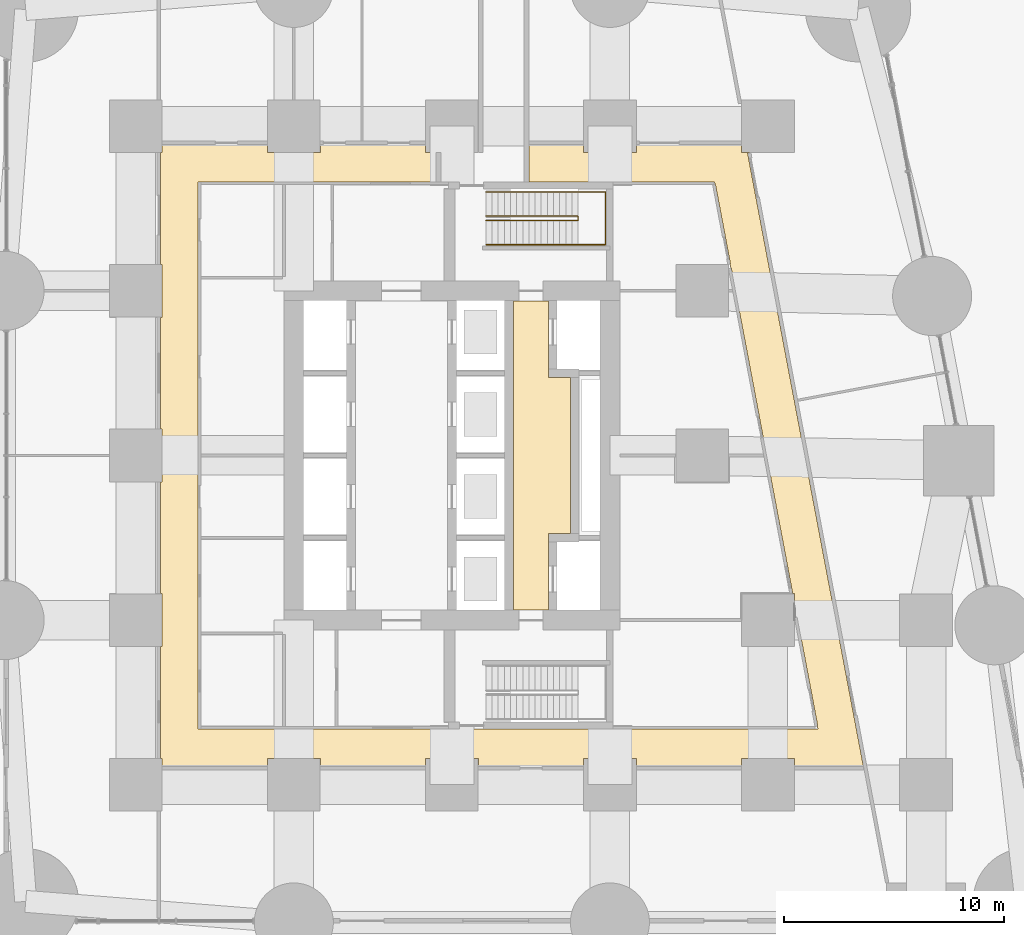
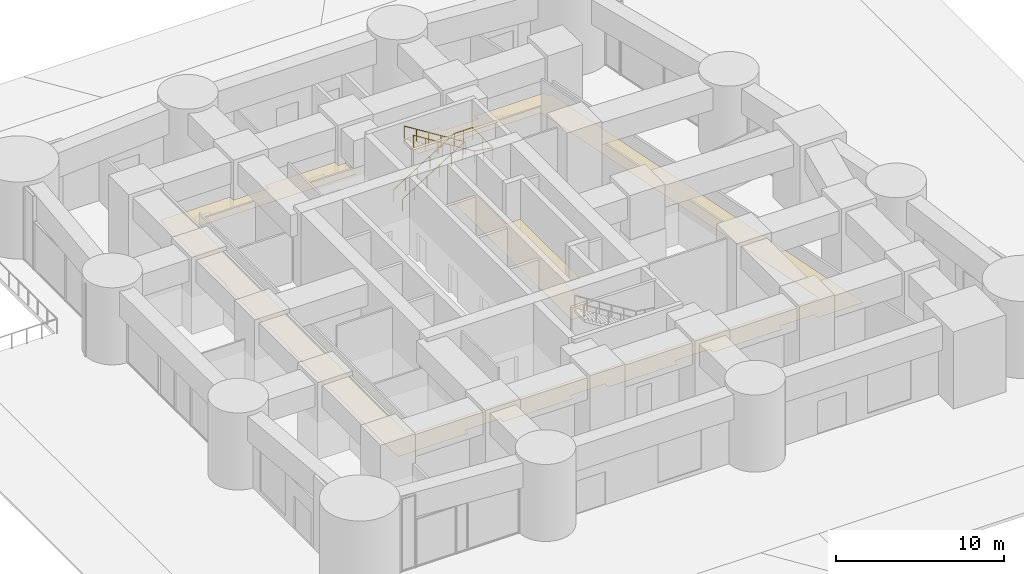
# One storey, part 15 of 16: 2 coverings, 2 railings.
"""IFC4 building model written with IfcOpenShell, lengths in metres."""

from ifc_helpers import new_model, si_unit, direction, frame, origin, origin_2d, place, context, subcontext, project, spatial, polyline, circle, outline, extrude, material, layer, layer_set, type_object, element, save


model = new_model("IFC4")

# Units and contexts
model_context = context("Model", 3, precision=1e-05, world=origin(), true_north=direction((0.0, 1.0)))
body_context = subcontext(model_context, "Body", "Model", "MODEL_VIEW")
ifc_project = project(units=[si_unit("LENGTHUNIT", "METRE"), si_unit("AREAUNIT", "SQUARE_METRE"), si_unit("VOLUMEUNIT", "CUBIC_METRE"), si_unit("PLANEANGLEUNIT", "RADIAN"), si_unit("MASSUNIT", "GRAM", prefix="KILO")], contexts=[model_context])

# Site, building, storey
site_placement = place(None, origin())
site = spatial("IfcSite", under=ifc_project, at=site_placement, CompositionType="ELEMENT")
building_placement = place(site_placement, origin())
building = spatial("IfcBuilding", under=site, at=building_placement, Name="Sheger Commons Tower", CompositionType="ELEMENT")
storey_placement = place(building_placement, origin())
storey = spatial("IfcBuildingStorey", under=building, at=storey_placement, Name="L00", CompositionType="ELEMENT", Elevation=0.0)

# Railings
ifc_material_1 = material(Name="Steel handrail, black powder-coated", Category="steel")
railing_type = type_object("IfcRailingType", Name="HANDRAIL 900", PredefinedType="HANDRAIL", material=ifc_material_1)
railing_1_placement = place(storey_placement, frame((23.14990234375, 33.39990234375, 0.175048828125)))
element("IfcRailing", 1, at=railing_1_placement, inside=storey, type_object=railing_type, Name="Stair S2 handrail L00", PredefinedType="HANDRAIL", context=body_context, shape_type="SweptSolid", body=[
    extrude(circle(Radius=0.02392578125, at=origin_2d()), frame((0.0, 0.0, 0.8759765625), z_axis=(0.848009380541, 0.0, 0.529981217134), x_axis=(0.0, 1.0, 0.0)), (0.0, 0.0, 1.0), 4.953125),
    extrude(circle(Radius=0.02392578125, at=origin_2d()), frame((4.2001953125, 0.0, 3.5009765625), z_axis=(0.0, -0.752405939678, 0.658699705433), x_axis=(1.0, 0.0, 0.0)), (0.0, 0.0, 1.0), 0.265869140625),
    extrude(circle(Radius=0.02392578125, at=origin_2d()), frame((4.2001953125, -0.199951171875, 3.67578125), z_axis=(-0.848009380541, 0.0, 0.529981217134), x_axis=(0.0, -1.0, 0.0)), (0.0, 0.0, 1.0), 4.953125),
    extrude(circle(Radius=0.02099609375, at=origin_2d()), origin(), (0.0, 0.0, 1.0), 0.851806640625),
    extrude(circle(Radius=0.02099609375, at=origin_2d()), frame((0.840087890625, 0.0, 0.52490234375)), (0.0, 0.0, 1.0), 0.851806640625),
    extrude(circle(Radius=0.02099609375, at=origin_2d()), frame((1.68017578125, 0.0, 1.050048828125)), (0.0, 0.0, 1.0), 0.851806640625),
    extrude(circle(Radius=0.02099609375, at=origin_2d()), frame((2.52001953125, 0.0, 1.574951171875)), (0.0, 0.0, 1.0), 0.851806640625),
    extrude(circle(Radius=0.02099609375, at=origin_2d()), frame((3.360107421875, 0.0, 2.10009765625)), (0.0, 0.0, 1.0), 0.851806640625),
    extrude(circle(Radius=0.02099609375, at=origin_2d()), frame((4.2001953125, 0.0, 2.625)), (0.0, 0.0, 1.0), 0.851806640625),
    extrude(circle(Radius=0.02099609375, at=origin_2d()), frame((4.2001953125, -0.199951171875, 2.800048828125)), (0.0, 0.0, 1.0), 0.851806640625),
    extrude(circle(Radius=0.02099609375, at=origin_2d()), frame((3.360107421875, -0.199951171875, 3.324951171875)), (0.0, 0.0, 1.0), 0.851806640625),
    extrude(circle(Radius=0.02099609375, at=origin_2d()), frame((2.52001953125, -0.199951171875, 3.85009765625)), (0.0, 0.0, 1.0), 0.851806640625),
    extrude(circle(Radius=0.02099609375, at=origin_2d()), frame((1.68017578125, -0.199951171875, 4.375)), (0.0, 0.0, 1.0), 0.851806640625),
    extrude(circle(Radius=0.02099609375, at=origin_2d()), frame((0.840087890625, -0.199951171875, 4.900146484375)), (0.0, 0.0, 1.0), 0.851806640625),
    extrude(circle(Radius=0.02099609375, at=origin_2d()), frame((0.0, -0.199951171875, 5.425048828125)), (0.0, 0.0, 1.0), 0.851806640625),
])
railing_2_placement = place(storey_placement, frame((23.14990234375, 34.5, 0.175048828125)))
element("IfcRailing", 2, at=railing_2_placement, inside=storey, type_object=railing_type, Name="Stair S2 handrail L00", PredefinedType="HANDRAIL", context=body_context, shape_type="SweptSolid", body=[
    extrude(circle(Radius=0.02392578125, at=origin_2d()), frame((0.0, 0.0, 0.8759765625), z_axis=(0.848009380541, 0.0, 0.529981217134), x_axis=(0.0, 1.0, 0.0)), (0.0, 0.0, 1.0), 4.953125),
    extrude(circle(Radius=0.02392578125, at=origin_2d()), frame((4.2001953125, 0.0, 3.5009765625), z_axis=(1.0, 0.0, 0.0), x_axis=(0.0, 1.0, 0.0)), (0.0, 0.0, 1.0), 1.25),
    extrude(circle(Radius=0.02392578125, at=origin_2d()), frame((5.4501953125, 0.0, 3.5009765625), z_axis=(0.0, -1.0, 0.0), x_axis=(1.0, 0.0, 0.0)), (0.0, 0.0, 1.0), 2.39990234375),
    extrude(circle(Radius=0.02392578125, at=origin_2d()), frame((5.4501953125, -2.39990234375, 3.5009765625), z_axis=(-0.990336434156, 0.0, 0.138685785799), x_axis=(0.0, -1.0, 0.0)), (0.0, 0.0, 1.0), 1.26220703125),
    extrude(circle(Radius=0.02392578125, at=origin_2d()), frame((4.2001953125, -2.39990234375, 3.67578125), z_axis=(-0.848009380541, 0.0, 0.529981217134), x_axis=(0.0, -1.0, 0.0)), (0.0, 0.0, 1.0), 4.953125),
    extrude(circle(Radius=0.02099609375, at=origin_2d()), origin(), (0.0, 0.0, 1.0), 0.851806640625),
    extrude(circle(Radius=0.02099609375, at=origin_2d()), frame((0.840087890625, 0.0, 0.52490234375)), (0.0, 0.0, 1.0), 0.851806640625),
    extrude(circle(Radius=0.02099609375, at=origin_2d()), frame((1.68017578125, 0.0, 1.050048828125)), (0.0, 0.0, 1.0), 0.851806640625),
    extrude(circle(Radius=0.02099609375, at=origin_2d()), frame((2.52001953125, 0.0, 1.574951171875)), (0.0, 0.0, 1.0), 0.851806640625),
    extrude(circle(Radius=0.02099609375, at=origin_2d()), frame((3.360107421875, 0.0, 2.10009765625)), (0.0, 0.0, 1.0), 0.851806640625),
    extrude(circle(Radius=0.02099609375, at=origin_2d()), frame((4.2001953125, 0.0, 2.625)), (0.0, 0.0, 1.0), 0.851806640625),
    extrude(circle(Radius=0.02099609375, at=origin_2d()), frame((4.8251953125, 0.0, 2.625)), (0.0, 0.0, 1.0), 0.851806640625),
    extrude(circle(Radius=0.02099609375, at=origin_2d()), frame((5.4501953125, 0.0, 2.625)), (0.0, 0.0, 1.0), 0.851806640625),
    extrude(circle(Radius=0.02099609375, at=origin_2d()), frame((5.4501953125, -1.199951171875, 2.625)), (0.0, 0.0, 1.0), 0.851806640625),
    extrude(circle(Radius=0.02099609375, at=origin_2d()), frame((5.4501953125, -2.39990234375, 2.625)), (0.0, 0.0, 1.0), 0.851806640625),
    extrude(circle(Radius=0.02099609375, at=origin_2d()), frame((4.8251953125, -2.39990234375, 2.71240234375)), (0.0, 0.0, 1.0), 0.851806640625),
    extrude(circle(Radius=0.02099609375, at=origin_2d()), frame((4.2001953125, -2.39990234375, 2.800048828125)), (0.0, 0.0, 1.0), 0.851806640625),
    extrude(circle(Radius=0.02099609375, at=origin_2d()), frame((3.360107421875, -2.39990234375, 3.324951171875)), (0.0, 0.0, 1.0), 0.851806640625),
    extrude(circle(Radius=0.02099609375, at=origin_2d()), frame((2.52001953125, -2.39990234375, 3.85009765625)), (0.0, 0.0, 1.0), 0.851806640625),
    extrude(circle(Radius=0.02099609375, at=origin_2d()), frame((1.68017578125, -2.39990234375, 4.375)), (0.0, 0.0, 1.0), 0.851806640625),
    extrude(circle(Radius=0.02099609375, at=origin_2d()), frame((0.840087890625, -2.39990234375, 4.900146484375)), (0.0, 0.0, 1.0), 0.851806640625),
    extrude(circle(Radius=0.02099609375, at=origin_2d()), frame((0.0, -2.39990234375, 5.425048828125)), (0.0, 0.0, 1.0), 0.851806640625),
])

# Coverings
ifc_material_2 = material(Name="Gypsum plasterboard 15 mm on a suspended steel grid", Category="steel")
ifc_layer = layer(ifc_material_2, 0.014892578125)
ifc_layer_set = layer_set([ifc_layer], Name="SUSPENDED CEILING 15")
covering_type = type_object("IfcCoveringType", Name="SUSPENDED CEILING 15", PredefinedType="CEILING", material=ifc_layer_set)
covering_1_placement = place(storey_placement, frame((0.0, 0.0, 2.699951171875)))
element("IfcCovering", 3, at=covering_1_placement, inside=storey, type_object=covering_type, Name="L00-CO ceiling", PredefinedType="CEILING", context=body_context, shape_type="SweptSolid", body=[
    extrude(outline(polyline([(8.405029296875, 8.330078125), (13.195068359375, 8.330078125), (13.195068359375, 8.705078125), (15.60498046875, 8.705078125), (15.60498046875, 8.330078125), (20.39501953125, 8.330078125), (20.39501953125, 8.705078125), (22.804931640625, 8.705078125), (22.804931640625, 8.330078125), (27.594970703125, 8.330078125), (27.594970703125, 8.705078125), (30.0048828125, 8.705078125), (30.0048828125, 8.330078125), (34.794921875, 8.330078125), (34.794921875, 8.705078125), (37.205078125, 8.705078125), (37.205078125, 8.330078125), (40.34912109375, 8.330078125), (35.071044921875, 36.27490234375), (35.14892578125, 36.2900390625), (35.14794921875, 36.294921875), (34.794921875, 36.294921875), (34.794921875, 36.669921875), (30.0048828125, 36.669921875), (30.0048828125, 36.294921875), (27.594970703125, 36.294921875), (27.594970703125, 36.669921875), (25.116943359375, 36.669921875), (25.116943359375, 34.949951171875), (28.945068359375, 34.949951171875), (28.945068359375, 34.968017578125), (33.54296875, 34.968017578125), (33.54296875, 34.949951171875), (33.571044921875, 34.949951171875), (33.589111328125, 34.85205078125), (33.60595703125, 34.85498046875), (34.29296875, 31.220947265625), (34.27587890625, 31.217041015625), (34.31005859375, 31.037109375), (34.326904296875, 31.0400390625), (37.1259765625, 16.220947265625), (37.10888671875, 16.217041015625), (37.111083984375, 16.205078125), (37.205078125, 16.205078125), (37.205078125, 15.7099609375), (37.31005859375, 15.155029296875), (37.326904296875, 15.157958984375), (38.26904296875, 10.1708984375), (38.251953125, 10.1669921875), (38.27392578125, 10.050048828125), (38.14306640625, 10.050048828125), (38.14306640625, 10.031982421875), (28.945068359375, 10.031982421875), (28.945068359375, 10.044921875), (21.455078125, 10.044921875), (21.455078125, 10.031982421875), (10.157958984375, 10.031982421875), (10.157958984375, 10.044921875), (10.031982421875, 10.044921875), (10.031982421875, 34.955078125), (10.157958984375, 34.955078125), (10.157958984375, 34.968017578125), (20.883056640625, 34.968017578125), (20.883056640625, 36.294921875), (20.39501953125, 36.294921875), (20.39501953125, 36.669921875), (15.60498046875, 36.669921875), (15.60498046875, 36.294921875), (13.195068359375, 36.294921875), (13.195068359375, 36.669921875), (8.405029296875, 36.669921875), (8.405029296875, 36.294921875), (8.330078125, 36.294921875), (8.330078125, 31.205078125), (8.405029296875, 31.205078125), (8.405029296875, 28.794921875), (8.330078125, 28.794921875), (8.330078125, 23.705078125), (8.405029296875, 23.705078125), (8.405029296875, 21.294921875), (8.330078125, 21.294921875), (8.330078125, 16.205078125), (8.405029296875, 16.205078125), (8.405029296875, 13.794921875), (8.330078125, 13.794921875), (8.330078125, 8.705078125), (8.405029296875, 8.705078125), (8.405029296875, 8.330078125)])), origin(), (0.0, 0.0, 1.0), 0.01513671875),
])
covering_2_placement = place(storey_placement, frame((0.0, 0.0, 2.699951171875)))
element("IfcCovering", 4, at=covering_2_placement, inside=storey, type_object=covering_type, Name="L00-FL ceiling", PredefinedType="CEILING", context=body_context, shape_type="SweptSolid", body=[
    extrude(outline(polyline([(24.405029296875, 15.455078125), (25.9951171875, 15.455078125), (25.9951171875, 18.955078125), (26.9951171875, 18.955078125), (26.9951171875, 26.044921875), (25.9951171875, 26.044921875), (25.9951171875, 29.544921875), (24.405029296875, 29.544921875), (24.405029296875, 15.455078125)])), origin(), (0.0, 0.0, 1.0), 0.01513671875),
])

save(model, "model.ifc")
